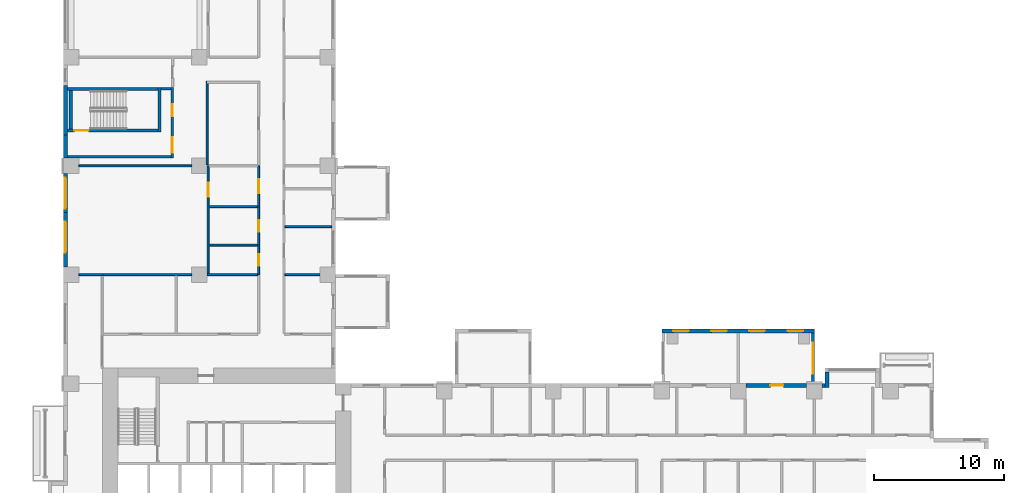
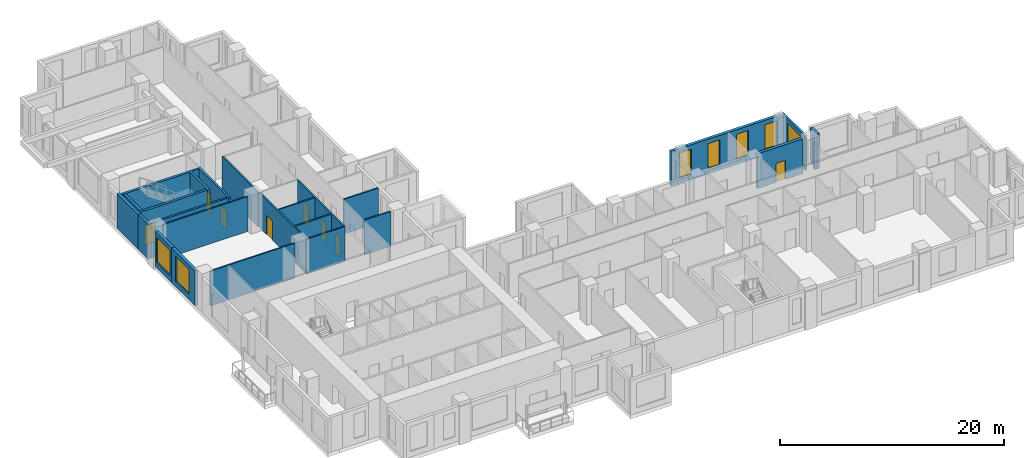
# One storey, part 6 of 15: 27 walls, 8 doors, 7 windows, 15 openings.
"""IFC4 building model written with IfcOpenShell, lengths in metres."""

from ifc_helpers import new_model, si_unit, direction, frame, frame_2d, origin, place, context, subcontext, project, spatial, rectangle, extrude, source, transform, mapped, material, layer, layer_set, type_object, element, fill, save


model = new_model("IFC4")

# Units and contexts
model_context = context("Model", 3, precision=1e-05, world=origin(), true_north=direction((0.0, 1.0)))
body_context = subcontext(model_context, "Body", "Model", "MODEL_VIEW")
ifc_project = project(units=[si_unit("LENGTHUNIT", "METRE"), si_unit("AREAUNIT", "SQUARE_METRE"), si_unit("VOLUMEUNIT", "CUBIC_METRE"), si_unit("PLANEANGLEUNIT", "RADIAN"), si_unit("MASSUNIT", "GRAM", prefix="KILO")], contexts=[model_context])

# Site, building, storey
site_placement = place(None, origin())
site = spatial("IfcSite", under=ifc_project, at=site_placement, CompositionType="ELEMENT")
building_placement = place(site_placement, origin())
building = spatial("IfcBuilding", under=site, at=building_placement, Name="Aurelian Terraces", CompositionType="ELEMENT")
storey_placement = place(building_placement, frame((0.0, 0.0, 65.7)))
storey = spatial("IfcBuildingStorey", under=building, at=storey_placement, Name="L13", CompositionType="ELEMENT", Elevation=65.7)

# Wall, opening, door
ifc_material_1 = material(Name="Terracotta rainscreen cladding", Category="masonry")
ifc_layer_1 = layer(ifc_material_1, 0.3)
ifc_layer_set_1 = layer_set([ifc_layer_1], Name="EW-300")
wall_type_1 = type_object("IfcWallType", Name="EW-300", PredefinedType="STANDARD", material=ifc_layer_set_1)
shared_shape_1 = source(origin(), body_context, "Body", "SweptSolid", [
    extrude(rectangle(XDim=4.68, YDim=0.3, at=frame_2d((2.34, 0.0))), origin(), (0.0, 0.0, 1.0), 3.8),
])
wall_1_placement = place(storey_placement, frame((57.36, 20.85, 0.0), z_axis=(0.0, 0.0, 1.0), x_axis=(-1.0, 0.0, 0.0)))
wall_1 = element("IfcWall", 1, at=wall_1_placement, inside=storey, type_object=wall_type_1, Name="External wall L13 F07.22", PredefinedType="STANDARD", context=body_context, shape_type="MappedRepresentation", body=[
    mapped(shared_shape_1, transform((0.0, 0.0, 0.0), scale=1.0)),
])
shared_shape_2 = source(origin(), body_context, "Body", "SweptSolid", [
    extrude(rectangle(XDim=1.0, YDim=2.1, at=frame_2d((0.5, 1.05))), frame((0.0, 0.16, 0.0), z_axis=(0.0, -1.0, 0.0), x_axis=(1.0, 0.0, 0.0)), (0.0, 0.0, 1.0), 0.32),
])
opening_1_placement = place(wall_1_placement, frame((1.7933, 0.0, 0.0)))
opening_1 = element("IfcOpeningElement", 2, at=opening_1_placement, cuts=wall_1, Name="Opening 813005", PredefinedType="OPENING", context=body_context, shape_type="MappedRepresentation", body=[
    mapped(shared_shape_2, transform((0.0, 0.0, 0.0), scale=1.0)),
])
ifc_material_2 = material(Name="Timber door leaf", Category="wood")
door_type_1 = type_object("IfcDoorType", Name="Room door 1000x2100 left", OperationType="SINGLE_SWING_LEFT", PredefinedType="DOOR", material=ifc_material_2)
shared_shape_3 = source(origin(), body_context, "Body", "SweptSolid", [
    extrude(rectangle(XDim=1.0, YDim=2.1, at=frame_2d((0.5, 1.05))), frame((0.0, 0.025, 0.0), z_axis=(0.0, -1.0, 0.0), x_axis=(1.0, 0.0, 0.0)), (0.0, 0.0, 1.0), 0.05),
])
door_1_placement = place(opening_1_placement, origin())
door_1 = element("IfcDoor", 3, at=door_1_placement, inside=storey, type_object=door_type_1, Name="Door 813005", OperationType="SINGLE_SWING_LEFT", OverallHeight=2.1, OverallWidth=1.0, PredefinedType="DOOR", context=body_context, shape_type="MappedRepresentation", body=[
    mapped(shared_shape_3, transform((0.0, 0.0, 0.0), scale=1.0)),
])
fill(opening_1, door_1)

# Walls
shared_shape_4 = source(origin(), body_context, "Body", "SweptSolid", [
    extrude(rectangle(XDim=1.2, YDim=0.3, at=frame_2d((0.6, 0.0))), origin(), (0.0, 0.0, 1.0), 3.8),
])
wall_2_placement = place(storey_placement, frame((58.95, 20.7, 0.0), z_axis=(0.0, 0.0, 1.0), x_axis=(0.0, 1.0, 0.0)))
element("IfcWall", 4, at=wall_2_placement, inside=storey, type_object=wall_type_1, Name="Bay return L13 F07.21.2", PredefinedType="STANDARD", context=body_context, shape_type="MappedRepresentation", body=[
    mapped(shared_shape_4, transform((0.0, 0.0, 0.0), scale=1.0)),
])
shared_shape_5 = source(origin(), body_context, "Body", "SweptSolid", [
    extrude(rectangle(XDim=0.24, YDim=0.3, at=frame_2d((0.12, 0.0))), origin(), (0.0, 0.0, 1.0), 3.8),
])
wall_3_placement = place(storey_placement, frame((58.8, 20.85, 0.0), z_axis=(0.0, 0.0, 1.0), x_axis=(-1.0, 0.0, 0.0)))
element("IfcWall", 5, at=wall_3_placement, inside=storey, type_object=wall_type_1, Name="External wall L13 F07.22", PredefinedType="STANDARD", context=body_context, shape_type="MappedRepresentation", body=[
    mapped(shared_shape_5, transform((0.0, 0.0, 0.0), scale=1.0)),
])
ifc_material_3 = material(Name="Concrete fc' 40 MPa", Category="concrete")
ifc_layer_2 = layer(ifc_material_3, 0.3)
ifc_layer_set_2 = layer_set([ifc_layer_2], Name="STAIR BAY WALL 300")
wall_type_2 = type_object("IfcWallType", Name="STAIR BAY WALL 300", PredefinedType="SOLIDWALL", material=ifc_layer_set_2)
shared_shape_6 = source(origin(), body_context, "Body", "SweptSolid", [
    extrude(rectangle(XDim=3.8, YDim=0.3, at=frame_2d((1.9, 0.0))), origin(), (0.0, 0.0, 1.0), 3.8),
])
wall_4_placement = place(storey_placement, frame((0.15, 44.0, 0.0), z_axis=(0.0, 0.0, 1.0), x_axis=(0.0, -1.0, 0.0)))
element("IfcWall", 6, at=wall_4_placement, inside=storey, type_object=wall_type_2, Name="Stair bay wall L13 F14.38", PredefinedType="SOLIDWALL", context=body_context, shape_type="MappedRepresentation", body=[
    mapped(shared_shape_6, transform((0.0, 0.0, 0.0), scale=1.0)),
])
shared_shape_7 = source(origin(), body_context, "Body", "SweptSolid", [
    extrude(rectangle(XDim=1.8, YDim=0.3, at=frame_2d((0.9, 0.0))), origin(), (0.0, 0.0, 1.0), 3.8),
])
wall_5_placement = place(storey_placement, frame((0.15, 40.2, 0.0), z_axis=(0.0, 0.0, 1.0), x_axis=(0.0, -1.0, 0.0)))
element("IfcWall", 7, at=wall_5_placement, inside=storey, type_object=wall_type_1, Name="External wall L13 F14.38", PredefinedType="STANDARD", context=body_context, shape_type="MappedRepresentation", body=[
    mapped(shared_shape_7, transform((0.0, 0.0, 0.0), scale=1.0)),
])

# Wall, opening, window
shared_shape_8 = source(origin(), body_context, "Body", "SweptSolid", [
    extrude(rectangle(XDim=3.0, YDim=0.3, at=frame_2d((1.5, 0.0))), origin(), (0.0, 0.0, 1.0), 3.8),
])
wall_6_placement = place(storey_placement, frame((0.15, 37.2, 0.0), z_axis=(0.0, 0.0, 1.0), x_axis=(0.0, -1.0, 0.0)))
wall_6 = element("IfcWall", 8, at=wall_6_placement, inside=storey, type_object=wall_type_1, Name="External wall L13 F14.38", PredefinedType="STANDARD", context=body_context, shape_type="MappedRepresentation", body=[
    mapped(shared_shape_8, transform((0.0, 0.0, 0.0), scale=1.0)),
])
shared_shape_9 = source(origin(), body_context, "Body", "SweptSolid", [
    extrude(rectangle(XDim=2.4, YDim=2.7, at=frame_2d((1.2, 1.35))), frame((0.0, 0.16, 0.0), z_axis=(0.0, -1.0, 0.0), x_axis=(1.0, 0.0, 0.0)), (0.0, 0.0, 1.0), 0.32),
])
opening_2_placement = place(wall_6_placement, frame((0.3, 0.0, 0.6)))
opening_2 = element("IfcOpeningElement", 9, at=opening_2_placement, cuts=wall_6, Name="Opening W2427", PredefinedType="OPENING", context=body_context, shape_type="MappedRepresentation", body=[
    mapped(shared_shape_9, transform((0.0, 0.0, 0.0), scale=1.0)),
])
ifc_material_4 = material(Name="Clear glazing", Category="glass")
window_type_1 = type_object("IfcWindowType", Name="W-2400x2700", PartitioningType="SINGLE_PANEL", PredefinedType="WINDOW", material=ifc_material_4)
shared_shape_10 = source(origin(), body_context, "Body", "SweptSolid", [
    extrude(rectangle(XDim=2.4, YDim=2.7, at=frame_2d((1.2, 1.35))), frame((0.0, 0.03, 0.0), z_axis=(0.0, -1.0, 0.0), x_axis=(1.0, 0.0, 0.0)), (0.0, 0.0, 1.0), 0.06),
])
window_1_placement = place(opening_2_placement, origin())
window_1 = element("IfcWindow", 10, at=window_1_placement, inside=storey, type_object=window_type_1, Name="Window L13 L13-F14-38-P7", OverallHeight=2.7, OverallWidth=2.4, PartitioningType="SINGLE_PANEL", PredefinedType="WINDOW", context=body_context, shape_type="MappedRepresentation", body=[
    mapped(shared_shape_10, transform((0.0, 0.0, 0.0), scale=1.0)),
])
fill(opening_2, window_1)

ifc_layer_3 = layer(ifc_material_3, 0.2)
ifc_layer_set_3 = layer_set([ifc_layer_3], Name="BOX BEARING WALL 200")
wall_type_3 = type_object("IfcWallType", Name="BOX BEARING WALL 200", PredefinedType="SOLIDWALL", material=ifc_layer_set_3)
shared_shape_11 = source(origin(), body_context, "Body", "SweptSolid", [
    extrude(rectangle(XDim=3.9, YDim=0.2, at=frame_2d((1.95, 0.0))), origin(), (0.0, 0.0, 1.0), 3.79),
])
wall_7_placement = place(storey_placement, frame((57.86, 21.0, 0.0), z_axis=(0.0, 0.0, 1.0), x_axis=(0.0, 1.0, 0.0)))
wall_7 = element("IfcWall", 11, at=wall_7_placement, inside=storey, type_object=wall_type_3, Name="Box return L13 K01.1", PredefinedType="SOLIDWALL", context=body_context, shape_type="MappedRepresentation", body=[
    mapped(shared_shape_11, transform((0.0, 0.0, 0.0), scale=1.0)),
])
shared_shape_12 = source(origin(), body_context, "Body", "SweptSolid", [
    extrude(rectangle(XDim=2.4, YDim=2.7, at=frame_2d((1.2, 1.35))), frame((0.0, 0.11, 0.0), z_axis=(0.0, -1.0, 0.0), x_axis=(1.0, 0.0, 0.0)), (0.0, 0.0, 1.0), 0.22),
])
opening_3_placement = place(wall_7_placement, frame((0.75, 0.0, 0.6)))
opening_3 = element("IfcOpeningElement", 12, at=opening_3_placement, cuts=wall_7, Name="Opening W2427", PredefinedType="OPENING", context=body_context, shape_type="MappedRepresentation", body=[
    mapped(shared_shape_12, transform((0.0, 0.0, 0.0), scale=1.0)),
])
window_2_placement = place(opening_3_placement, origin())
window_2 = element("IfcWindow", 13, at=window_2_placement, inside=storey, type_object=window_type_1, Name="Window L13 K01-S1", OverallHeight=2.7, OverallWidth=2.4, PartitioningType="SINGLE_PANEL", PredefinedType="WINDOW", context=body_context, shape_type="MappedRepresentation", body=[
    mapped(shared_shape_10, transform((0.0, 0.0, 0.0), scale=1.0)),
])
fill(opening_3, window_2)

# Wall, openings, windows
ifc_layer_4 = layer(ifc_material_3, 0.3)
ifc_layer_set_4 = layer_set([ifc_layer_4], Name="BOX BEARING WALL 300")
wall_type_4 = type_object("IfcWallType", Name="BOX BEARING WALL 300", PredefinedType="SOLIDWALL", material=ifc_layer_set_4)
shared_shape_13 = source(origin(), body_context, "Body", "SweptSolid", [
    extrude(rectangle(XDim=11.76, YDim=0.3, at=frame_2d((5.88, 0.0))), origin(), (0.0, 0.0, 1.0), 3.79),
])
wall_8_placement = place(storey_placement, frame((57.96, 25.05, 0.0), z_axis=(0.0, 0.0, 1.0), x_axis=(-1.0, 0.0, 0.0)))
wall_8 = element("IfcWall", 14, at=wall_8_placement, inside=storey, type_object=wall_type_4, Name="Box wall L13 K01", PredefinedType="SOLIDWALL", context=body_context, shape_type="MappedRepresentation", body=[
    mapped(shared_shape_13, transform((0.0, 0.0, 0.0), scale=1.0)),
])
shared_shape_14 = source(origin(), body_context, "Body", "SweptSolid", [
    extrude(rectangle(XDim=1.2, YDim=2.7, at=frame_2d((0.6, 1.35))), frame((0.0, 0.16, 0.0), z_axis=(0.0, -1.0, 0.0), x_axis=(1.0, 0.0, 0.0)), (0.0, 0.0, 1.0), 0.32),
])
opening_4_placement = place(wall_8_placement, frame((0.87, 0.0, 0.6)))
opening_4 = element("IfcOpeningElement", 15, at=opening_4_placement, cuts=wall_8, Name="Opening W1227", PredefinedType="OPENING", context=body_context, shape_type="MappedRepresentation", body=[
    mapped(shared_shape_14, transform((0.0, 0.0, 0.0), scale=1.0)),
])
opening_5_placement = place(wall_8_placement, frame((3.81, 0.0, 0.6)))
opening_5 = element("IfcOpeningElement", 16, at=opening_5_placement, cuts=wall_8, Name="Opening W1227", PredefinedType="OPENING", context=body_context, shape_type="MappedRepresentation", body=[
    mapped(shared_shape_14, transform((0.0, 0.0, 0.0), scale=1.0)),
])
opening_6_placement = place(wall_8_placement, frame((6.75, 0.0, 0.6)))
opening_6 = element("IfcOpeningElement", 17, at=opening_6_placement, cuts=wall_8, Name="Opening W1227", PredefinedType="OPENING", context=body_context, shape_type="MappedRepresentation", body=[
    mapped(shared_shape_14, transform((0.0, 0.0, 0.0), scale=1.0)),
])
opening_7_placement = place(wall_8_placement, frame((9.69, 0.0, 0.6)))
opening_7 = element("IfcOpeningElement", 18, at=opening_7_placement, cuts=wall_8, Name="Opening W1227", PredefinedType="OPENING", context=body_context, shape_type="MappedRepresentation", body=[
    mapped(shared_shape_14, transform((0.0, 0.0, 0.0), scale=1.0)),
])
window_type_2 = type_object("IfcWindowType", Name="W-1200x2700", PartitioningType="SINGLE_PANEL", PredefinedType="WINDOW", material=ifc_material_4)
shared_shape_15 = source(origin(), body_context, "Body", "SweptSolid", [
    extrude(rectangle(XDim=1.2, YDim=2.7, at=frame_2d((0.6, 1.35))), frame((0.0, 0.03, 0.0), z_axis=(0.0, -1.0, 0.0), x_axis=(1.0, 0.0, 0.0)), (0.0, 0.0, 1.0), 0.06),
])
window_3_placement = place(opening_4_placement, origin())
window_3 = element("IfcWindow", 19, at=window_3_placement, inside=storey, type_object=window_type_2, Name="Window L13 K01-F1", OverallHeight=2.7, OverallWidth=1.2, PartitioningType="SINGLE_PANEL", PredefinedType="WINDOW", context=body_context, shape_type="MappedRepresentation", body=[
    mapped(shared_shape_15, transform((0.0, 0.0, 0.0), scale=1.0)),
])
fill(opening_4, window_3)
window_4_placement = place(opening_5_placement, origin())
window_4 = element("IfcWindow", 20, at=window_4_placement, inside=storey, type_object=window_type_2, Name="Window L13 K01-F2", OverallHeight=2.7, OverallWidth=1.2, PartitioningType="SINGLE_PANEL", PredefinedType="WINDOW", context=body_context, shape_type="MappedRepresentation", body=[
    mapped(shared_shape_15, transform((0.0, 0.0, 0.0), scale=1.0)),
])
fill(opening_5, window_4)
window_5_placement = place(opening_6_placement, origin())
window_5 = element("IfcWindow", 21, at=window_5_placement, inside=storey, type_object=window_type_2, Name="Window L13 K01-F3", OverallHeight=2.7, OverallWidth=1.2, PartitioningType="SINGLE_PANEL", PredefinedType="WINDOW", context=body_context, shape_type="MappedRepresentation", body=[
    mapped(shared_shape_15, transform((0.0, 0.0, 0.0), scale=1.0)),
])
fill(opening_6, window_5)
window_6_placement = place(opening_7_placement, origin())
window_6 = element("IfcWindow", 22, at=window_6_placement, inside=storey, type_object=window_type_2, Name="Window L13 K01-F4", OverallHeight=2.7, OverallWidth=1.2, PartitioningType="SINGLE_PANEL", PredefinedType="WINDOW", context=body_context, shape_type="MappedRepresentation", body=[
    mapped(shared_shape_15, transform((0.0, 0.0, 0.0), scale=1.0)),
])
fill(opening_7, window_6)

# Wall, opening, window
shared_shape_16 = source(origin(), body_context, "Body", "SweptSolid", [
    extrude(rectangle(XDim=4.2, YDim=0.3, at=frame_2d((2.1, 0.0))), origin(), (0.0, 0.0, 1.0), 3.8),
])
wall_9_placement = place(storey_placement, frame((0.15, 34.2, 0.0), z_axis=(0.0, 0.0, 1.0), x_axis=(0.0, -1.0, 0.0)))
wall_9 = element("IfcWall", 23, at=wall_9_placement, inside=storey, type_object=wall_type_2, Name="Bearing wall L13 F14.38", PredefinedType="SOLIDWALL", context=body_context, shape_type="MappedRepresentation", body=[
    mapped(shared_shape_16, transform((0.0, 0.0, 0.0), scale=1.0)),
])
opening_8_placement = place(wall_9_placement, frame((0.7, 0.0, 0.6)))
opening_8 = element("IfcOpeningElement", 24, at=opening_8_placement, cuts=wall_9, Name="Opening W2427", PredefinedType="OPENING", context=body_context, shape_type="MappedRepresentation", body=[
    mapped(shared_shape_9, transform((0.0, 0.0, 0.0), scale=1.0)),
])
window_7_placement = place(opening_8_placement, origin())
window_7 = element("IfcWindow", 25, at=window_7_placement, inside=storey, type_object=window_type_1, Name="Window L13 L13-F14-38-P8", OverallHeight=2.7, OverallWidth=2.4, PartitioningType="SINGLE_PANEL", PredefinedType="WINDOW", context=body_context, shape_type="MappedRepresentation", body=[
    mapped(shared_shape_10, transform((0.0, 0.0, 0.0), scale=1.0)),
])
fill(opening_8, window_7)

# Wall, opening, door
ifc_layer_5 = layer(ifc_material_3, 0.25)
ifc_layer_set_5 = layer_set([ifc_layer_5], Name="Stair enclosure wall 250")
wall_type_5 = type_object("IfcWallType", Name="Stair enclosure wall 250", PredefinedType="SOLIDWALL", material=ifc_layer_set_5)
shared_shape_17 = source(origin(), body_context, "Body", "SweptSolid", [
    extrude(rectangle(XDim=7.0, YDim=0.25, at=frame_2d((3.5, 0.0))), origin(), (0.0, 0.0, 1.0), 3.8),
])
wall_10_placement = place(storey_placement, frame((0.3, 40.525, 0.0), z_axis=(0.0, 0.0, 1.0), x_axis=(1.0, 0.0, 0.0)))
wall_10 = element("IfcWall", 26, at=wall_10_placement, inside=storey, type_object=wall_type_5, Name="L13 core wall ST-S3-W", PredefinedType="SOLIDWALL", context=body_context, shape_type="MappedRepresentation", body=[
    mapped(shared_shape_17, transform((0.0, 0.0, 0.0), scale=1.0)),
])
shared_shape_18 = source(origin(), body_context, "Body", "SweptSolid", [
    extrude(rectangle(XDim=1.1, YDim=2.1, at=frame_2d((0.55, 1.05))), frame((0.0, 0.135, 0.0), z_axis=(0.0, -1.0, 0.0), x_axis=(1.0, 0.0, 0.0)), (0.0, 0.0, 1.0), 0.27),
])
opening_9_placement = place(wall_10_placement, frame((0.55, 0.0, 0.0)))
opening_9 = element("IfcOpeningElement", 27, at=opening_9_placement, cuts=wall_10, Name="Opening 61618", PredefinedType="OPENING", context=body_context, shape_type="MappedRepresentation", body=[
    mapped(shared_shape_18, transform((0.0, 0.0, 0.0), scale=1.0)),
])
ifc_material_5 = material(Name="Steel door leaf", Category="steel")
door_type_2 = type_object("IfcDoorType", Name="Core fire door 1100x2100", OperationType="SINGLE_SWING_LEFT", PredefinedType="DOOR", material=ifc_material_5)
shared_shape_19 = source(origin(), body_context, "Body", "SweptSolid", [
    extrude(rectangle(XDim=1.1, YDim=2.1, at=frame_2d((0.55, 1.05))), frame((0.0, 0.025, 0.0), z_axis=(0.0, -1.0, 0.0), x_axis=(1.0, 0.0, 0.0)), (0.0, 0.0, 1.0), 0.05),
])
door_2_placement = place(opening_9_placement, origin())
door_2 = element("IfcDoor", 28, at=door_2_placement, inside=storey, type_object=door_type_2, Name="Stair door 61618", OperationType="SINGLE_SWING_LEFT", OverallHeight=2.1, OverallWidth=1.1, PredefinedType="DOOR", context=body_context, shape_type="MappedRepresentation", body=[
    mapped(shared_shape_19, transform((0.0, 0.0, 0.0), scale=1.0)),
])
fill(opening_9, door_2)

# Walls
wall_11_placement = place(storey_placement, frame((0.3, 43.725, 0.0), z_axis=(0.0, 0.0, 1.0), x_axis=(1.0, 0.0, 0.0)))
element("IfcWall", 29, at=wall_11_placement, inside=storey, type_object=wall_type_5, Name="L13 core wall ST-S3-E", PredefinedType="SOLIDWALL", context=body_context, shape_type="MappedRepresentation", body=[
    mapped(shared_shape_17, transform((0.0, 0.0, 0.0), scale=1.0)),
])
shared_shape_20 = source(origin(), body_context, "Body", "SweptSolid", [
    extrude(rectangle(XDim=3.45, YDim=0.25, at=frame_2d((1.725, 0.0))), origin(), (0.0, 0.0, 1.0), 3.8),
])
wall_12_placement = place(storey_placement, frame((7.425, 40.4, 0.0), z_axis=(0.0, 0.0, 1.0), x_axis=(0.0, 1.0, 0.0)))
element("IfcWall", 30, at=wall_12_placement, inside=storey, type_object=wall_type_5, Name="L13 core wall ST-S3-N", PredefinedType="SOLIDWALL", context=body_context, shape_type="MappedRepresentation", body=[
    mapped(shared_shape_20, transform((0.0, 0.0, 0.0), scale=1.0)),
])
shared_shape_21 = source(origin(), body_context, "Body", "SweptSolid", [
    extrude(rectangle(XDim=2.95, YDim=0.25, at=frame_2d((1.475, 0.0))), origin(), (0.0, 0.0, 1.0), 3.8),
])
wall_13_placement = place(storey_placement, frame((0.575, 40.65, 0.0), z_axis=(0.0, 0.0, 1.0), x_axis=(0.0, 1.0, 0.0)))
element("IfcWall", 31, at=wall_13_placement, inside=storey, type_object=wall_type_5, Name="L13 core wall ST-S3-SS", PredefinedType="SOLIDWALL", context=body_context, shape_type="MappedRepresentation", body=[
    mapped(shared_shape_21, transform((0.0, 0.0, 0.0), scale=1.0)),
])
ifc_material_6 = material(Name="Gypsum board on steel studs", Category="steel")
ifc_layer_6 = layer(ifc_material_6, 0.2)
ifc_layer_set_6 = layer_set([ifc_layer_6], Name="Core partition 200")
wall_type_6 = type_object("IfcWallType", Name="Core partition 200", PredefinedType="PARTITIONING", material=ifc_layer_set_6)
shared_shape_22 = source(origin(), body_context, "Body", "SweptSolid", [
    extrude(rectangle(XDim=8.0, YDim=0.2, at=frame_2d((4.0, 0.0))), origin(), (0.0, 0.0, 1.0), 3.8),
])
wall_14_placement = place(storey_placement, frame((0.3, 38.5, 0.0), z_axis=(0.0, 0.0, 1.0), x_axis=(1.0, 0.0, 0.0)))
element("IfcWall", 32, at=wall_14_placement, inside=storey, type_object=wall_type_6, Name="L13 core wall ST-S3-VW", PredefinedType="PARTITIONING", context=body_context, shape_type="MappedRepresentation", body=[
    mapped(shared_shape_22, transform((0.0, 0.0, 0.0), scale=1.0)),
])

# Wall, openings, doors
shared_shape_23 = source(origin(), body_context, "Body", "SweptSolid", [
    extrude(rectangle(XDim=5.45, YDim=0.2, at=frame_2d((2.725, 0.0))), origin(), (0.0, 0.0, 1.0), 3.8),
])
wall_15_placement = place(storey_placement, frame((8.4, 38.4, 0.0), z_axis=(0.0, 0.0, 1.0), x_axis=(0.0, 1.0, 0.0)))
wall_15 = element("IfcWall", 33, at=wall_15_placement, inside=storey, type_object=wall_type_6, Name="L13 core wall ST-S3-BN", PredefinedType="PARTITIONING", context=body_context, shape_type="MappedRepresentation", body=[
    mapped(shared_shape_23, transform((0.0, 0.0, 0.0), scale=1.0)),
])
shared_shape_24 = source(origin(), body_context, "Body", "SweptSolid", [
    extrude(rectangle(XDim=1.2, YDim=2.1, at=frame_2d((0.6, 1.05))), frame((0.0, 0.11, 0.0), z_axis=(0.0, -1.0, 0.0), x_axis=(1.0, 0.0, 0.0)), (0.0, 0.0, 1.0), 0.22),
])
opening_10_placement = place(wall_15_placement, frame((0.4, 0.0, 0.0)))
opening_10 = element("IfcOpeningElement", 34, at=opening_10_placement, cuts=wall_15, Name="Opening 61619", PredefinedType="OPENING", context=body_context, shape_type="MappedRepresentation", body=[
    mapped(shared_shape_24, transform((0.0, 0.0, 0.0), scale=1.0)),
])
shared_shape_25 = source(origin(), body_context, "Body", "SweptSolid", [
    extrude(rectangle(XDim=0.9, YDim=2.1, at=frame_2d((0.45, 1.05))), frame((0.0, 0.11, 0.0), z_axis=(0.0, -1.0, 0.0), x_axis=(1.0, 0.0, 0.0)), (0.0, 0.0, 1.0), 0.22),
])
opening_11_placement = place(wall_15_placement, frame((3.25, 0.0, 0.0)))
opening_11 = element("IfcOpeningElement", 35, at=opening_11_placement, cuts=wall_15, Name="Opening 61620", PredefinedType="OPENING", context=body_context, shape_type="MappedRepresentation", body=[
    mapped(shared_shape_25, transform((0.0, 0.0, 0.0), scale=1.0)),
])
door_type_3 = type_object("IfcDoorType", Name="Core riser door 900x2100", OperationType="SINGLE_SWING_LEFT", PredefinedType="DOOR", material=ifc_material_5)
shared_shape_26 = source(origin(), body_context, "Body", "SweptSolid", [
    extrude(rectangle(XDim=0.9, YDim=2.1, at=frame_2d((0.45, 1.05))), frame((0.0, 0.025, 0.0), z_axis=(0.0, -1.0, 0.0), x_axis=(1.0, 0.0, 0.0)), (0.0, 0.0, 1.0), 0.05),
])
door_3_placement = place(opening_11_placement, origin())
door_3 = element("IfcDoor", 36, at=door_3_placement, inside=storey, type_object=door_type_3, Name="Riser door 61620", OperationType="SINGLE_SWING_LEFT", OverallHeight=2.1, OverallWidth=0.9, PredefinedType="DOOR", context=body_context, shape_type="MappedRepresentation", body=[
    mapped(shared_shape_26, transform((0.0, 0.0, 0.0), scale=1.0)),
])
fill(opening_11, door_3)
door_type_4 = type_object("IfcDoorType", Name="Core fire door 1200x2100 right", OperationType="SINGLE_SWING_RIGHT", PredefinedType="DOOR", material=ifc_material_5)
shared_shape_27 = source(origin(), body_context, "Body", "SweptSolid", [
    extrude(rectangle(XDim=1.2, YDim=2.1, at=frame_2d((0.6, 1.05))), frame((0.0, 0.025, 0.0), z_axis=(0.0, -1.0, 0.0), x_axis=(1.0, 0.0, 0.0)), (0.0, 0.0, 1.0), 0.05),
])
door_4_placement = place(opening_10_placement, origin())
door_4 = element("IfcDoor", 37, at=door_4_placement, inside=storey, type_object=door_type_4, Name="Vestibule door 61619", OperationType="SINGLE_SWING_RIGHT", OverallHeight=2.1, OverallWidth=1.2, PredefinedType="DOOR", context=body_context, shape_type="MappedRepresentation", body=[
    mapped(shared_shape_27, transform((0.0, 0.0, 0.0), scale=1.0)),
])
fill(opening_10, door_4)

# Walls
shared_shape_28 = source(origin(), body_context, "Body", "SweptSolid", [
    extrude(rectangle(XDim=0.75, YDim=0.2, at=frame_2d((0.375, 0.0))), origin(), (0.0, 0.0, 1.0), 3.8),
])
wall_16_placement = place(storey_placement, frame((7.55, 43.75, 0.0), z_axis=(0.0, 0.0, 1.0), x_axis=(1.0, 0.0, 0.0)))
element("IfcWall", 38, at=wall_16_placement, inside=storey, type_object=wall_type_6, Name="L13 core wall ST-S3-RE", PredefinedType="PARTITIONING", context=body_context, shape_type="MappedRepresentation", body=[
    mapped(shared_shape_28, transform((0.0, 0.0, 0.0), scale=1.0)),
])
ifc_layer_7 = layer(ifc_material_6, 0.15)
ifc_layer_set_7 = layer_set([ifc_layer_7], Name="Partition 150")
wall_type_7 = type_object("IfcWallType", Name="Partition 150", PredefinedType="PARTITIONING", material=ifc_layer_set_7)
shared_shape_29 = source(origin(), body_context, "Body", "SweptSolid", [
    extrude(rectangle(XDim=6.45, YDim=0.15, at=frame_2d((3.225, 0.0))), origin(), (0.0, 0.0, 1.0), 3.8),
])
wall_17_placement = place(storey_placement, frame((11.1, 44.325, 0.0), z_axis=(0.0, 0.0, 1.0), x_axis=(0.0, -1.0, 0.0)))
element("IfcWall", 39, at=wall_17_placement, inside=storey, type_object=wall_type_7, Name="Partition", PredefinedType="PARTITIONING", context=body_context, shape_type="MappedRepresentation", body=[
    mapped(shared_shape_29, transform((0.0, 0.0, 0.0), scale=1.0)),
])
shared_shape_30 = source(origin(), body_context, "Body", "SweptSolid", [
    extrude(rectangle(XDim=3.75, YDim=0.15, at=frame_2d((1.875, 0.0))), origin(), (0.0, 0.0, 1.0), 3.8),
])
for number, where, z_axis, x_axis, name in (
    (40, (15.0, 31.677, 0.0), (0.0, 0.0, 1.0), (-1.0, 0.0, 0.0), "Partition"),
    (41, (15.0, 34.6485, 0.0), (0.0, 0.0, 1.0), (-1.0, 0.0, 0.0), "Partition"),
):
    element("IfcWall", number, at=place(storey_placement, frame(where, z_axis=z_axis, x_axis=x_axis)), inside=storey, type_object=wall_type_7, Name=name, PredefinedType="PARTITIONING", context=body_context, shape_type="MappedRepresentation", body=[
        mapped(shared_shape_30, transform((0.0, 0.0, 0.0), scale=1.0)),
    ])
shared_shape_31 = source(origin(), body_context, "Body", "SweptSolid", [
    extrude(rectangle(XDim=8.702, YDim=0.15, at=frame_2d((4.351, 0.0))), origin(), (0.0, 0.0, 1.0), 3.8),
])
wall_18_placement = place(storey_placement, frame((9.901, 37.8, 0.0), z_axis=(0.0, 0.0, 1.0), x_axis=(-1.0, 0.0, 0.0)))
element("IfcWall", 42, at=wall_18_placement, inside=storey, type_object=wall_type_7, Name="Partition", PredefinedType="PARTITIONING", context=body_context, shape_type="MappedRepresentation", body=[
    mapped(shared_shape_31, transform((0.0, 0.0, 0.0), scale=1.0)),
])
shared_shape_32 = source(origin(), body_context, "Body", "SweptSolid", [
    extrude(rectangle(XDim=3.6, YDim=0.15, at=frame_2d((1.8, 0.0))), origin(), (0.0, 0.0, 1.0), 3.8),
])
wall_19_placement = place(storey_placement, frame((17.1, 33.1133, 0.0), z_axis=(0.0, 0.0, 1.0), x_axis=(1.0, 0.0, 0.0)))
element("IfcWall", 43, at=wall_19_placement, inside=storey, type_object=wall_type_7, Name="Partition", PredefinedType="PARTITIONING", context=body_context, shape_type="MappedRepresentation", body=[
    mapped(shared_shape_32, transform((0.0, 0.0, 0.0), scale=1.0)),
])
shared_shape_33 = source(origin(), body_context, "Body", "SweptSolid", [
    extrude(rectangle(XDim=2.701, YDim=0.15, at=frame_2d((1.3505, 0.0))), origin(), (0.0, 0.0, 1.0), 3.8),
])
wall_20_placement = place(storey_placement, frame((19.801, 29.4, 0.0), z_axis=(0.0, 0.0, 1.0), x_axis=(-1.0, 0.0, 0.0)))
element("IfcWall", 44, at=wall_20_placement, inside=storey, type_object=wall_type_7, Name="Partition", PredefinedType="PARTITIONING", context=body_context, shape_type="MappedRepresentation", body=[
    mapped(shared_shape_33, transform((0.0, 0.0, 0.0), scale=1.0)),
])

# Wall, opening, door
shared_shape_34 = source(origin(), body_context, "Body", "SweptSolid", [
    extrude(rectangle(XDim=8.4, YDim=0.15, at=frame_2d((4.2, 0.0))), origin(), (0.0, 0.0, 1.0), 3.8),
])
wall_21_placement = place(storey_placement, frame((11.175, 29.4, 0.0), z_axis=(0.0, 0.0, 1.0), x_axis=(0.0, 1.0, 0.0)))
wall_21 = element("IfcWall", 45, at=wall_21_placement, inside=storey, type_object=wall_type_7, Name="Partition", PredefinedType="PARTITIONING", context=body_context, shape_type="MappedRepresentation", body=[
    mapped(shared_shape_34, transform((0.0, 0.0, 0.0), scale=1.0)),
])
shared_shape_35 = source(origin(), body_context, "Body", "SweptSolid", [
    extrude(rectangle(XDim=1.1, YDim=2.1, at=frame_2d((0.55, 1.05))), frame((0.0, 0.085, 0.0), z_axis=(0.0, -1.0, 0.0), x_axis=(1.0, 0.0, 0.0)), (0.0, 0.0, 1.0), 0.17),
])
opening_12_placement = place(wall_21_placement, frame((6.0117, 0.0, 0.0)))
opening_12 = element("IfcOpeningElement", 46, at=opening_12_placement, cuts=wall_21, Name="Opening 713037", PredefinedType="OPENING", context=body_context, shape_type="MappedRepresentation", body=[
    mapped(shared_shape_35, transform((0.0, 0.0, 0.0), scale=1.0)),
])
door_type_5 = type_object("IfcDoorType", Name="Room door 1100x2100 left", OperationType="SINGLE_SWING_LEFT", PredefinedType="DOOR", material=ifc_material_2)
door_5_placement = place(opening_12_placement, origin())
door_5 = element("IfcDoor", 47, at=door_5_placement, inside=storey, type_object=door_type_5, Name="Door 713037", OperationType="SINGLE_SWING_LEFT", OverallHeight=2.1, OverallWidth=1.1, PredefinedType="DOOR", context=body_context, shape_type="MappedRepresentation", body=[
    mapped(shared_shape_19, transform((0.0, 0.0, 0.0), scale=1.0)),
])
fill(opening_12, door_5)

# Wall, openings, doors
ifc_layer_8 = layer(ifc_material_6, 0.15)
ifc_layer_set_8 = layer_set([ifc_layer_8], Name="Fire partition 150")
wall_type_8 = type_object("IfcWallType", Name="Fire partition 150", PredefinedType="PARTITIONING", material=ifc_layer_set_8)
wall_22_placement = place(storey_placement, frame((15.075, 29.4, 0.0), z_axis=(0.0, 0.0, 1.0), x_axis=(0.0, 1.0, 0.0)))
wall_22 = element("IfcWall", 48, at=wall_22_placement, inside=storey, type_object=wall_type_8, Name="Corridor wall", PredefinedType="PARTITIONING", context=body_context, shape_type="MappedRepresentation", body=[
    mapped(shared_shape_34, transform((0.0, 0.0, 0.0), scale=1.0)),
])
opening_13_placement = place(wall_22_placement, frame((6.2742, 0.0, 0.0)))
opening_13 = element("IfcOpeningElement", 49, at=opening_13_placement, cuts=wall_22, Name="Opening 713036", PredefinedType="OPENING", context=body_context, shape_type="MappedRepresentation", body=[
    mapped(shared_shape_35, transform((0.0, 0.0, 0.0), scale=1.0)),
])
shared_shape_36 = source(origin(), body_context, "Body", "SweptSolid", [
    extrude(rectangle(XDim=0.9, YDim=2.1, at=frame_2d((0.45, 1.05))), frame((0.0, 0.085, 0.0), z_axis=(0.0, -1.0, 0.0), x_axis=(1.0, 0.0, 0.0)), (0.0, 0.0, 1.0), 0.17),
])
opening_14_placement = place(wall_22_placement, frame((0.6885, 0.0, 0.0)))
opening_14 = element("IfcOpeningElement", 50, at=opening_14_placement, cuts=wall_22, Name="Opening 713038", PredefinedType="OPENING", context=body_context, shape_type="MappedRepresentation", body=[
    mapped(shared_shape_36, transform((0.0, 0.0, 0.0), scale=1.0)),
])
opening_15_placement = place(wall_22_placement, frame((3.3128, 0.0, 0.0)))
opening_15 = element("IfcOpeningElement", 51, at=opening_15_placement, cuts=wall_22, Name="Opening 713039", PredefinedType="OPENING", context=body_context, shape_type="MappedRepresentation", body=[
    mapped(shared_shape_36, transform((0.0, 0.0, 0.0), scale=1.0)),
])
door_type_6 = type_object("IfcDoorType", Name="Room door 900x2100 right", OperationType="SINGLE_SWING_RIGHT", PredefinedType="DOOR", material=ifc_material_2)
door_6_placement = place(opening_14_placement, origin())
door_6 = element("IfcDoor", 52, at=door_6_placement, inside=storey, type_object=door_type_6, Name="Door 713038", OperationType="SINGLE_SWING_RIGHT", OverallHeight=2.1, OverallWidth=0.9, PredefinedType="DOOR", context=body_context, shape_type="MappedRepresentation", body=[
    mapped(shared_shape_26, transform((0.0, 0.0, 0.0), scale=1.0)),
])
fill(opening_14, door_6)
door_type_7 = type_object("IfcDoorType", Name="Room door 900x2100 left", OperationType="SINGLE_SWING_LEFT", PredefinedType="DOOR", material=ifc_material_2)
door_7_placement = place(opening_15_placement, origin())
door_7 = element("IfcDoor", 53, at=door_7_placement, inside=storey, type_object=door_type_7, Name="Door 713039", OperationType="SINGLE_SWING_LEFT", OverallHeight=2.1, OverallWidth=0.9, PredefinedType="DOOR", context=body_context, shape_type="MappedRepresentation", body=[
    mapped(shared_shape_26, transform((0.0, 0.0, 0.0), scale=1.0)),
])
fill(opening_15, door_7)
door_type_8 = type_object("IfcDoorType", Name="Room door 1100x2100 right", OperationType="SINGLE_SWING_RIGHT", PredefinedType="DOOR", material=ifc_material_2)
door_8_placement = place(opening_13_placement, origin())
door_8 = element("IfcDoor", 54, at=door_8_placement, inside=storey, type_object=door_type_8, Name="Door 713036", OperationType="SINGLE_SWING_RIGHT", OverallHeight=2.1, OverallWidth=1.1, PredefinedType="DOOR", context=body_context, shape_type="MappedRepresentation", body=[
    mapped(shared_shape_19, transform((0.0, 0.0, 0.0), scale=1.0)),
])
fill(opening_13, door_8)

# Walls
shared_shape_37 = source(origin(), body_context, "Body", "SweptSolid", [
    extrude(rectangle(XDim=6.826, YDim=0.15, at=frame_2d((3.413, 0.0))), origin(), (0.0, 0.0, 1.0), 3.8),
])
wall_23_placement = place(storey_placement, frame((9.901, 29.4, 0.0), z_axis=(0.0, 0.0, 1.0), x_axis=(-1.0, 0.0, 0.0)))
element("IfcWall", 55, at=wall_23_placement, inside=storey, type_object=wall_type_7, Name="Partition", PredefinedType="PARTITIONING", context=body_context, shape_type="MappedRepresentation", body=[
    mapped(shared_shape_37, transform((0.0, 0.0, 0.0), scale=1.0)),
])
shared_shape_38 = source(origin(), body_context, "Body", "SweptSolid", [
    extrude(rectangle(XDim=3.901, YDim=0.15, at=frame_2d((1.9505, 0.0))), origin(), (0.0, 0.0, 1.0), 3.8),
])
wall_24_placement = place(storey_placement, frame((15.0, 29.4, 0.0), z_axis=(0.0, 0.0, 1.0), x_axis=(-1.0, 0.0, 0.0)))
element("IfcWall", 56, at=wall_24_placement, inside=storey, type_object=wall_type_7, Name="Partition", PredefinedType="PARTITIONING", context=body_context, shape_type="MappedRepresentation", body=[
    mapped(shared_shape_38, transform((0.0, 0.0, 0.0), scale=1.0)),
])
shared_shape_39 = source(origin(), body_context, "Body", "SweptSolid", [
    extrude(rectangle(XDim=1.856, YDim=0.15, at=frame_2d((0.928, 0.0))), origin(), (0.0, 0.0, 1.0), 3.8),
])
wall_25_placement = place(storey_placement, frame((3.055, 29.4, 0.0), z_axis=(0.0, 0.0, 1.0), x_axis=(-1.0, 0.0, 0.0)))
element("IfcWall", 57, at=wall_25_placement, inside=storey, type_object=wall_type_7, Name="Partition", PredefinedType="PARTITIONING", context=body_context, shape_type="MappedRepresentation", body=[
    mapped(shared_shape_39, transform((0.0, 0.0, 0.0), scale=1.0)),
])

save(model, "model.ifc")
